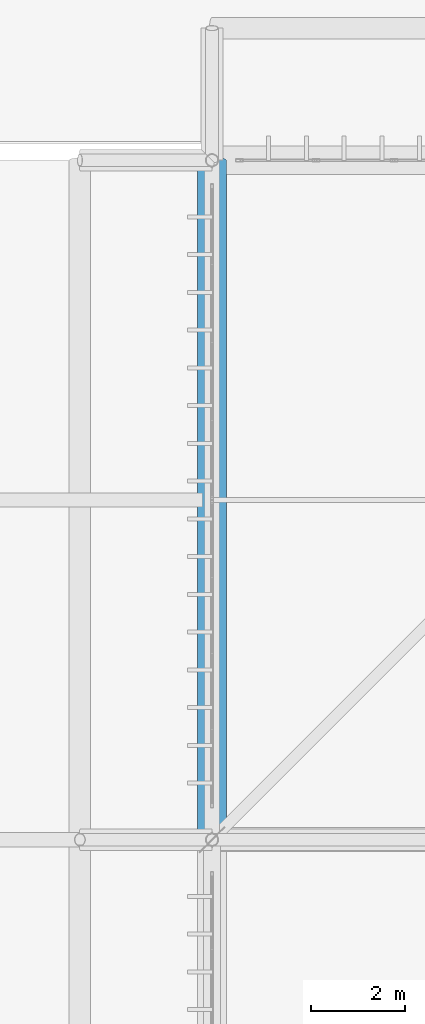
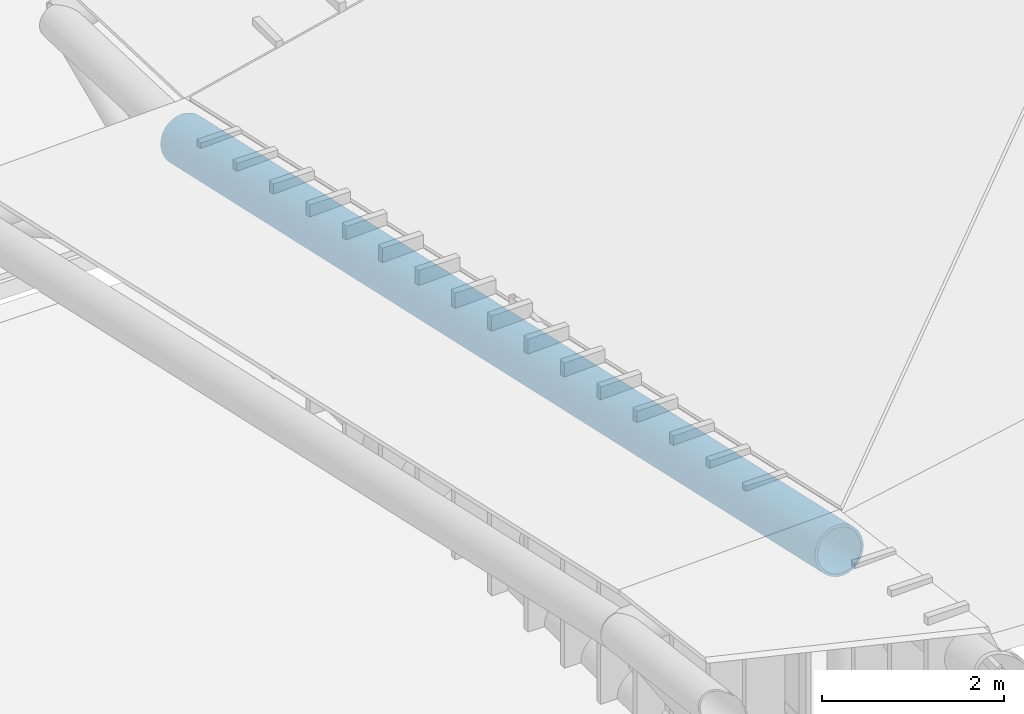
# One storey, part 212 of 397: 1 beam.
"""IFC4 building model written with IfcOpenShell, lengths in metres."""

from ifc_helpers import new_model, si_unit, direction, frame, origin, origin_2d, place, context, subcontext, project, spatial, hollow_circle, extrude, material, material_profile, profile_set, type_object, element, save


model = new_model("IFC4")

# Units and contexts
model_context = context("Model", 3, precision=1e-05, world=origin(), true_north=direction((0.0, 1.0)))
body_context = subcontext(model_context, "Body", "Model", "MODEL_VIEW")
ifc_project = project(units=[si_unit("LENGTHUNIT", "METRE"), si_unit("AREAUNIT", "SQUARE_METRE"), si_unit("VOLUMEUNIT", "CUBIC_METRE"), si_unit("PLANEANGLEUNIT", "RADIAN"), si_unit("MASSUNIT", "GRAM", prefix="KILO")], contexts=[model_context])

# Site, building, storey
site_placement = place(None, origin())
site = spatial("IfcSite", under=ifc_project, at=site_placement, CompositionType="ELEMENT")
building_placement = place(site_placement, origin())
building = spatial("IfcBuilding", under=site, at=building_placement, Name="Qandorah Velis Arena", CompositionType="ELEMENT")
storey_placement = place(building_placement, frame((0.0, 0.0, 27.5)))
storey = spatial("IfcBuildingStorey", under=building, at=storey_placement, Name="RF", CompositionType="ELEMENT", Elevation=27.5)

# Beam
ifc_material = material(Name="Steel S460", Category="steel")
ifc_material_profile = material_profile(ifc_material, hollow_circle(Radius=0.304931640625, WallThickness=0.031982421875, at=origin_2d()), Name="CHS 610x32")
ifc_profile_set = profile_set([ifc_material_profile], Name="Steel S460")
beam_type = type_object("IfcBeamType", Name="STR-SFC-CHS610X32", PredefinedType="USERDEFINED", material=ifc_profile_set)
beam_placement = place(storey_placement, frame((14.39990234375, 100.800048828125, 4.6083984375), z_axis=(0.0, 0.976064640799, -0.217480612888), x_axis=(-1.0, 0.0, 0.0)))
element("IfcBeam", 1, at=beam_placement, inside=storey, type_object=beam_type, Name="Space frame roof truss top chord Y 0.6", ObjectType="ROOF TRUSS", PredefinedType="USERDEFINED", context=body_context, shape_type="SweptSolid", body=[
    extrude(hollow_circle(Radius=0.304931640625, WallThickness=0.031982421875, at=origin_2d()), origin(), (0.0, 0.0, 1.0), 14.7529296875),
])

save(model, "model.ifc")
